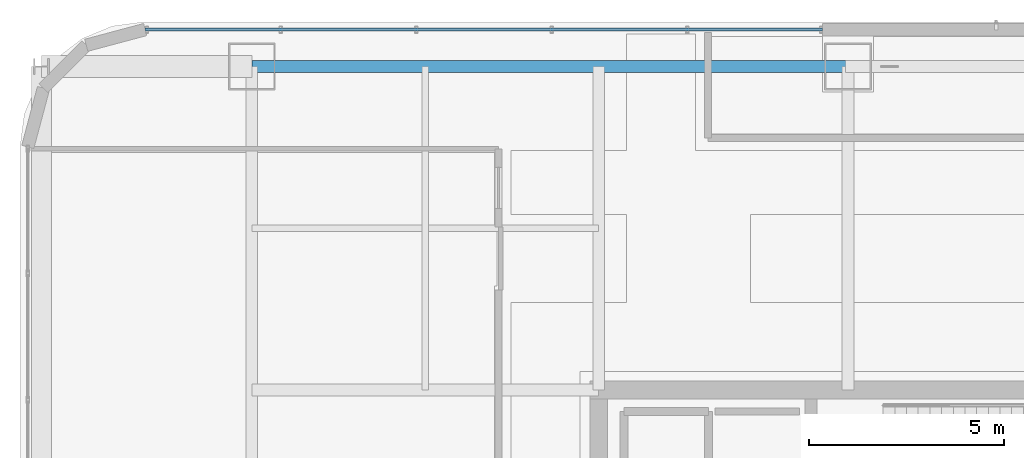
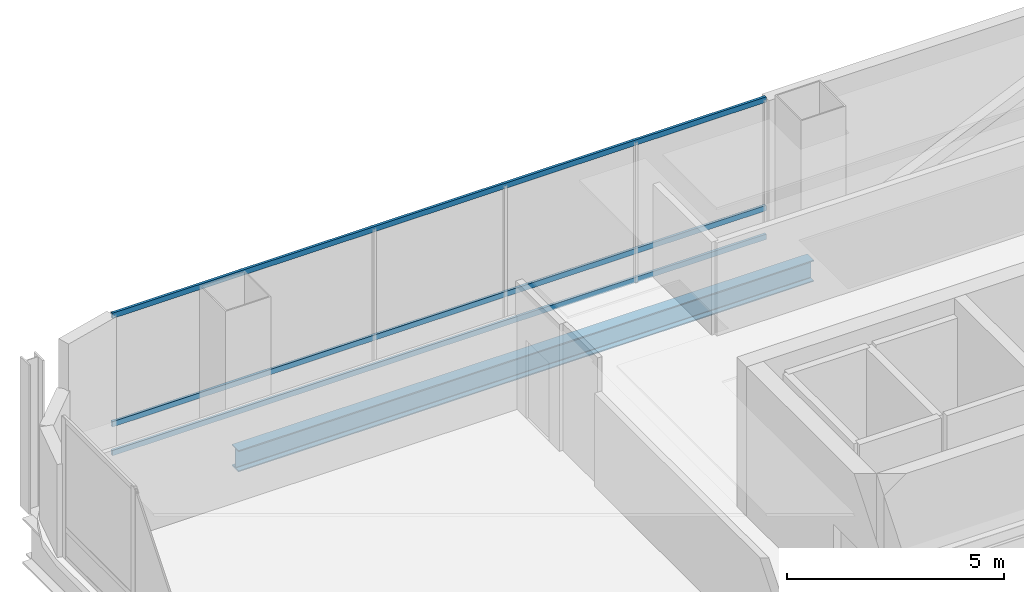
# One storey, part 27 of 46: 3 members, 1 beam, 1 element without a shape of its own.
"""IFC4 building model written with IfcOpenShell, lengths in metres."""

from ifc_helpers import new_model, si_unit, direction, frame, origin, origin_2d, place, context, subcontext, project, spatial, hollow_rectangle, i_section, extrude, material, material_profile, profile_set, type_object, element, aggregate, save


model = new_model("IFC4")

# Units and contexts
model_context = context("Model", 3, precision=1e-05, world=origin(), true_north=direction((0.0, 1.0)))
body_context = subcontext(model_context, "Body", "Model", "MODEL_VIEW")
ifc_project = project(units=[si_unit("LENGTHUNIT", "METRE"), si_unit("AREAUNIT", "SQUARE_METRE"), si_unit("VOLUMEUNIT", "CUBIC_METRE"), si_unit("PLANEANGLEUNIT", "RADIAN"), si_unit("MASSUNIT", "GRAM", prefix="KILO")], contexts=[model_context])

# Site, building, storey
site_placement = place(None, origin())
site = spatial("IfcSite", under=ifc_project, at=site_placement, CompositionType="ELEMENT")
building_placement = place(site_placement, origin())
building = spatial("IfcBuilding", under=site, at=building_placement, Name="Punatoya Terracotta Tower", CompositionType="ELEMENT")
storey_placement = place(building_placement, frame((0.0, 0.0, 330.0)))
storey = spatial("IfcBuildingStorey", under=building, at=storey_placement, Name="L78", CompositionType="ELEMENT", Elevation=330.0)

# Beam
ifc_material_1 = material(Name="Steel S355", Category="steel")
ifc_material_profile_1 = material_profile(ifc_material_1, i_section(OverallWidth=0.300048828125, OverallDepth=0.60009765625, WebThickness=0.015380859375, FlangeThickness=0.030029296875, FilletRadius=0.01806640625, at=origin_2d()))
ifc_profile_set_1 = profile_set([ifc_material_profile_1], Name="Steel S355")
beam_type = type_object("IfcBeamType", Name="BM-PRI-600", PredefinedType="BEAM", material=ifc_profile_set_1)
beam_placement = place(storey_placement, frame((-19.10009765625, 17.5, -0.5), z_axis=(1.0, 0.0, 0.0), x_axis=(0.0, 1.0, 0.0)))
element("IfcBeam", 1, at=beam_placement, inside=storey, type_object=beam_type, Name="BM-L78-RG-N1", PredefinedType="BEAM", context=body_context, shape_type="SweptSolid", body=[
    extrude(i_section(OverallWidth=0.300048828125, OverallDepth=0.60009765625, WebThickness=0.015380859375, FlangeThickness=0.030029296875, FilletRadius=0.01806640625, at=origin_2d()), origin(), (0.0, 0.0, 1.0), 15.300048828125),
])

# Curtain wall, members
ifc_material_2 = material(Name="Aluminium 6063-T6 + Double Low-E Glass", Category="aluminium")
curtain_wall_type = type_object("IfcCurtainWallType", Name="CW-OBS", PredefinedType="NOTDEFINED", material=ifc_material_2)
curtain_wall_placement = place(storey_placement, origin())
curtain_wall = element("IfcCurtainWall", 2, at=curtain_wall_placement, inside=storey, type_object=curtain_wall_type, Name="L78 Curtain Wall CW-L78-N09-2", PredefinedType="NOTDEFINED")
ifc_material_3 = material(Name="Aluminium 6063-T6", Category="aluminium")
ifc_material_profile_2 = material_profile(ifc_material_3, hollow_rectangle(XDim=0.068115234375, YDim=0.14990234375, WallThickness=0.00390625, at=origin_2d()))
ifc_profile_set_2 = profile_set([ifc_material_profile_2], Name="Aluminium 6063-T6")
member_type = type_object("IfcMemberType", Name="CW-TRN-TYP", PredefinedType="USERDEFINED", material=ifc_profile_set_2)
member_1_placement = place(storey_placement, frame((-4.449951171875, 18.449951171875, 0.0400390625), z_axis=(-1.0, 0.0, 0.0), x_axis=(0.0, -1.0, 0.0)))
member_1 = element("IfcMember", 3, at=member_1_placement, type_object=member_type, Name="CW-L78-N09-2 Transom 1", ObjectType="TRANSOM", PredefinedType="USERDEFINED", context=body_context, shape_type="SweptSolid", body=[
    extrude(hollow_rectangle(XDim=0.068115234375, YDim=0.14990234375, WallThickness=0.00390625, at=origin_2d()), origin(), (0.0, 0.0, 1.0), 17.386962890625),
])
member_2_placement = place(storey_placement, frame((-4.449951171875, 18.449951171875, 0.85009765625), z_axis=(-1.0, 0.0, 0.0), x_axis=(0.0, -1.0, 0.0)))
member_2 = element("IfcMember", 4, at=member_2_placement, type_object=member_type, Name="CW-L78-N09-2 Transom 2", ObjectType="TRANSOM", PredefinedType="USERDEFINED", context=body_context, shape_type="SweptSolid", body=[
    extrude(hollow_rectangle(XDim=0.068115234375, YDim=0.14990234375, WallThickness=0.00390625, at=origin_2d()), origin(), (0.0, 0.0, 1.0), 17.386962890625),
])
member_3_placement = place(storey_placement, frame((-4.449951171875, 18.449951171875, 3.89990234375), z_axis=(-1.0, 0.0, 0.0), x_axis=(0.0, -1.0, 0.0)))
member_3 = element("IfcMember", 5, at=member_3_placement, type_object=member_type, Name="CW-L78-N09-2 Transom 3", ObjectType="TRANSOM", PredefinedType="USERDEFINED", context=body_context, shape_type="SweptSolid", body=[
    extrude(hollow_rectangle(XDim=0.068115234375, YDim=0.14990234375, WallThickness=0.00390625, at=origin_2d()), origin(), (0.0, 0.0, 1.0), 17.386962890625),
])
aggregate(curtain_wall, [member_1, member_2, member_3])

save(model, "model.ifc")
